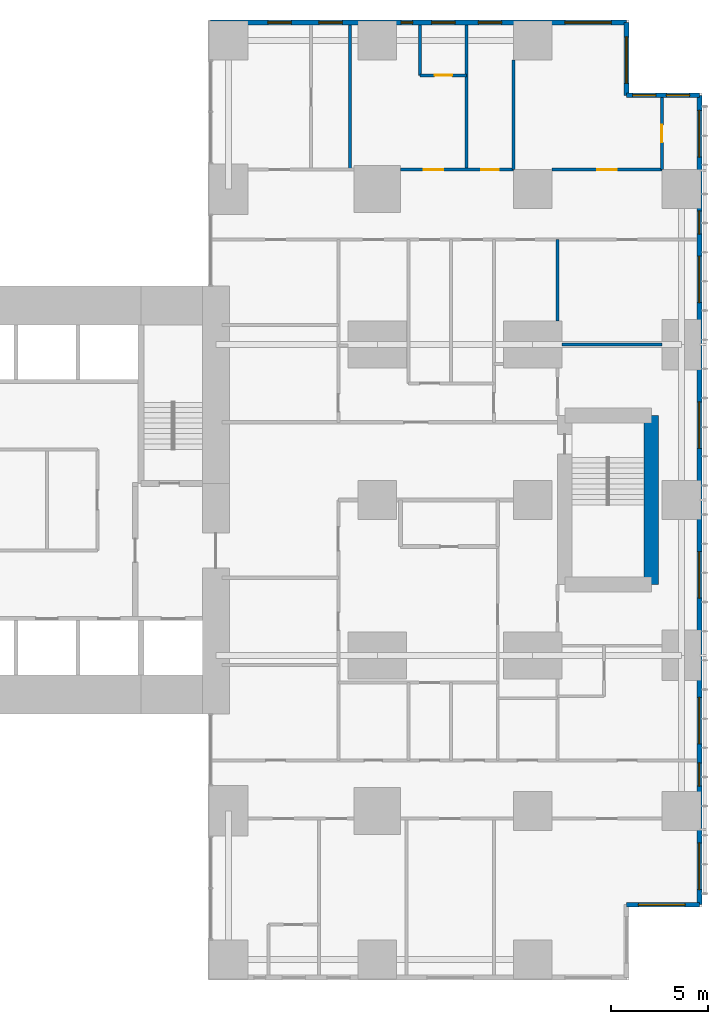
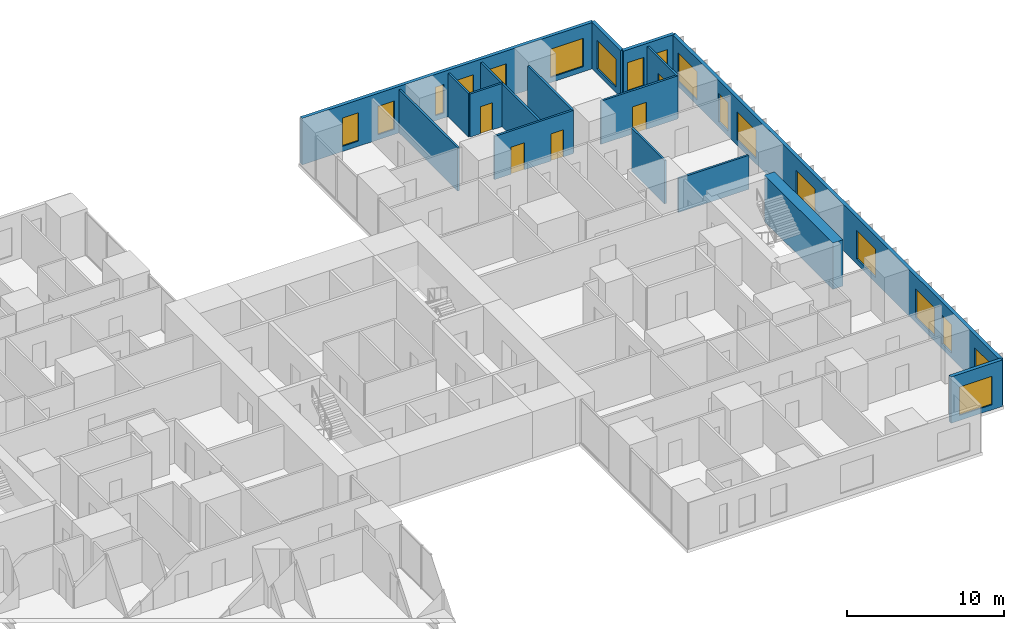
# One storey, part 18 of 20: 18 windows, 16 walls, 5 doors, 23 openings.
"""IFC4 building model written with IfcOpenShell, lengths in metres."""

from ifc_helpers import new_model, si_unit, direction, frame, frame_2d, origin, place, context, subcontext, project, spatial, rectangle, extrude, material, layer, layer_set, type_object, element, fill, save


model = new_model("IFC4")

# Units and contexts
model_context = context("Model", 3, precision=1e-05, world=origin(), true_north=direction((0.0, 1.0)))
body_context = subcontext(model_context, "Body", "Model", "MODEL_VIEW")
ifc_project = project(units=[si_unit("LENGTHUNIT", "METRE"), si_unit("AREAUNIT", "SQUARE_METRE"), si_unit("VOLUMEUNIT", "CUBIC_METRE"), si_unit("PLANEANGLEUNIT", "RADIAN"), si_unit("MASSUNIT", "GRAM", prefix="KILO")], contexts=[model_context])

# Site, building, storey
site_placement = place(None, origin())
site = spatial("IfcSite", under=ifc_project, at=site_placement, CompositionType="ELEMENT")
building_placement = place(site_placement, origin())
building = spatial("IfcBuilding", under=site, at=building_placement, Name="Cleftline Residences", CompositionType="ELEMENT")
storey_placement = place(building_placement, frame((0.0, 0.0, 114.199951171875)))
storey = spatial("IfcBuildingStorey", under=building, at=storey_placement, Name="L29", CompositionType="ELEMENT", Elevation=114.199951171875)

# Wall, opening, window
ifc_material_1 = material(Name="Rendered reinforced concrete blockwork", Category="masonry")
ifc_layer_1 = layer(ifc_material_1, 0.25)
ifc_layer_set_1 = layer_set([ifc_layer_1], Name="EXTERNAL WALL 250")
wall_type_1 = type_object("IfcWallType", Name="EXTERNAL WALL 250", PredefinedType="SOLIDWALL", material=ifc_layer_set_1)
wall_1_placement = place(storey_placement, frame((62.824951171875, 3.175048828125, 0.0), z_axis=(0.0, 0.0, 1.0), x_axis=(1.0, 0.0, 0.0)))
wall_1 = element("IfcWall", 1, at=wall_1_placement, inside=storey, type_object=wall_type_1, Name="External wall", PredefinedType="SOLIDWALL", context=body_context, shape_type="SweptSolid", body=[
    extrude(rectangle(XDim=3.75, YDim=0.25, at=frame_2d((1.875, 0.0))), origin(), (0.0, 0.0, 1.0), 3.60009765625),
])
opening_1_placement = place(wall_1_placement, frame((0.612548828125, 0.0, 0.39990234375)))
opening_1 = element("IfcOpeningElement", 2, at=opening_1_placement, cuts=wall_1, Name="Opening W12", PredefinedType="OPENING", context=body_context, shape_type="SweptSolid", body=[
    extrude(rectangle(XDim=2.39990234375, YDim=2.199951171875, at=frame_2d((1.199951171875, 1.10009765625))), frame((0.0, 0.135009765625, 0.0), z_axis=(0.0, -1.0, 0.0), x_axis=(1.0, 0.0, 0.0)), (0.0, 0.0, 1.0), 0.27001953125),
])
ifc_material_2 = material(Name="Aluminium frame, clear double glazing", Category="aluminium")
window_type_1 = type_object("IfcWindowType", Name="WINDOW 2400X2200", PartitioningType="DOUBLE_PANEL_VERTICAL", PredefinedType="WINDOW", material=ifc_material_2)
window_1_placement = place(opening_1_placement, origin())
window_1 = element("IfcWindow", 3, at=window_1_placement, inside=storey, type_object=window_type_1, Name="Window", OverallHeight=2.199951171875, OverallWidth=2.39990234375, PartitioningType="SINGLE_PANEL", PredefinedType="WINDOW", context=body_context, shape_type="SweptSolid", body=[
    extrude(rectangle(XDim=2.39990234375, YDim=2.199951171875, at=frame_2d((1.199951171875, 1.10009765625))), frame((0.0, 0.030029296875, 0.0), z_axis=(0.0, -1.0, 0.0), x_axis=(1.0, 0.0, 0.0)), (0.0, 0.0, 1.0), 0.06005859375),
])
fill(opening_1, window_1)

# Wall, openings, windows
wall_2_placement = place(storey_placement, frame((66.574951171875, 3.175048828125, 0.0), z_axis=(0.0, 0.0, 1.0), x_axis=(0.0, 1.0, 0.0)))
wall_2 = element("IfcWall", 4, at=wall_2_placement, inside=storey, type_object=wall_type_1, Name="External wall", PredefinedType="SOLIDWALL", context=body_context, shape_type="SweptSolid", body=[
    extrude(rectangle(XDim=41.64990234375, YDim=0.25, at=frame_2d((20.824951171875, 0.0))), origin(), (0.0, 0.0, 1.0), 3.60009765625),
])
opening_2_placement = place(wall_2_placement, frame((0.77490234375, 0.0, 0.39990234375)))
opening_2 = element("IfcOpeningElement", 5, at=opening_2_placement, cuts=wall_2, Name="Opening W12", PredefinedType="OPENING", context=body_context, shape_type="SweptSolid", body=[
    extrude(rectangle(XDim=2.39990234375, YDim=2.199951171875, at=frame_2d((1.199951171875, 1.10009765625))), frame((0.0, 0.135009765625, 0.0), z_axis=(0.0, -1.0, 0.0), x_axis=(1.0, 0.0, 0.0)), (0.0, 0.0, 1.0), 0.27001953125),
])
opening_3_placement = place(wall_2_placement, frame((6.10009765625, 0.0, 0.39990234375)))
opening_3 = element("IfcOpeningElement", 6, at=opening_3_placement, cuts=wall_2, Name="Opening W11", PredefinedType="OPENING", context=body_context, shape_type="SweptSolid", body=[
    extrude(rectangle(XDim=1.199951171875, YDim=2.199951171875, at=frame_2d((0.60009765625, 1.10009765625))), frame((0.0, 0.135009765625, 0.0), z_axis=(0.0, -1.0, 0.0), x_axis=(1.0, 0.0, 0.0)), (0.0, 0.0, 1.0), 0.27001953125),
])
opening_4_placement = place(wall_2_placement, frame((8.27490234375, 0.0, 0.39990234375)))
opening_4 = element("IfcOpeningElement", 7, at=opening_4_placement, cuts=wall_2, Name="Opening W12", PredefinedType="OPENING", context=body_context, shape_type="SweptSolid", body=[
    extrude(rectangle(XDim=2.39990234375, YDim=2.199951171875, at=frame_2d((1.199951171875, 1.10009765625))), frame((0.0, 0.135009765625, 0.0), z_axis=(0.0, -1.0, 0.0), x_axis=(1.0, 0.0, 0.0)), (0.0, 0.0, 1.0), 0.27001953125),
])
opening_5_placement = place(wall_2_placement, frame((15.77490234375, 0.0, 0.39990234375)))
opening_5 = element("IfcOpeningElement", 8, at=opening_5_placement, cuts=wall_2, Name="Opening W12", PredefinedType="OPENING", context=body_context, shape_type="SweptSolid", body=[
    extrude(rectangle(XDim=2.39990234375, YDim=2.199951171875, at=frame_2d((1.199951171875, 1.10009765625))), frame((0.0, 0.135009765625, 0.0), z_axis=(0.0, -1.0, 0.0), x_axis=(1.0, 0.0, 0.0)), (0.0, 0.0, 1.0), 0.27001953125),
])
opening_6_placement = place(wall_2_placement, frame((23.47509765625, 0.0, 0.39990234375)))
opening_6 = element("IfcOpeningElement", 9, at=opening_6_placement, cuts=wall_2, Name="Opening W12", PredefinedType="OPENING", context=body_context, shape_type="SweptSolid", body=[
    extrude(rectangle(XDim=2.39990234375, YDim=2.199951171875, at=frame_2d((1.199951171875, 1.10009765625))), frame((0.0, 0.135009765625, 0.0), z_axis=(0.0, -1.0, 0.0), x_axis=(1.0, 0.0, 0.0)), (0.0, 0.0, 1.0), 0.27001953125),
])
opening_7_placement = place(wall_2_placement, frame((30.97509765625, 0.0, 0.39990234375)))
opening_7 = element("IfcOpeningElement", 10, at=opening_7_placement, cuts=wall_2, Name="Opening W12", PredefinedType="OPENING", context=body_context, shape_type="SweptSolid", body=[
    extrude(rectangle(XDim=2.39990234375, YDim=2.199951171875, at=frame_2d((1.199951171875, 1.10009765625))), frame((0.0, 0.135009765625, 0.0), z_axis=(0.0, -1.0, 0.0), x_axis=(1.0, 0.0, 0.0)), (0.0, 0.0, 1.0), 0.27001953125),
])
opening_8_placement = place(wall_2_placement, frame((34.5, 0.0, 0.39990234375)))
opening_8 = element("IfcOpeningElement", 11, at=opening_8_placement, cuts=wall_2, Name="Opening W11", PredefinedType="OPENING", context=body_context, shape_type="SweptSolid", body=[
    extrude(rectangle(XDim=1.199951171875, YDim=2.199951171875, at=frame_2d((0.60009765625, 1.10009765625))), frame((0.0, 0.135009765625, 0.0), z_axis=(0.0, -1.0, 0.0), x_axis=(1.0, 0.0, 0.0)), (0.0, 0.0, 1.0), 0.27001953125),
])
opening_9_placement = place(wall_2_placement, frame((38.47509765625, 0.0, 0.39990234375)))
opening_9 = element("IfcOpeningElement", 12, at=opening_9_placement, cuts=wall_2, Name="Opening W12", PredefinedType="OPENING", context=body_context, shape_type="SweptSolid", body=[
    extrude(rectangle(XDim=2.39990234375, YDim=2.199951171875, at=frame_2d((1.199951171875, 1.10009765625))), frame((0.0, 0.135009765625, 0.0), z_axis=(0.0, -1.0, 0.0), x_axis=(1.0, 0.0, 0.0)), (0.0, 0.0, 1.0), 0.27001953125),
])
ifc_material_3 = material(Name="Aluminium frame, clear double glazing", Category="aluminium")
window_type_2 = type_object("IfcWindowType", Name="WINDOW 1200X2200", PartitioningType="DOUBLE_PANEL_VERTICAL", PredefinedType="WINDOW", material=ifc_material_3)
window_2_placement = place(opening_3_placement, origin())
window_2 = element("IfcWindow", 13, at=window_2_placement, inside=storey, type_object=window_type_2, Name="Window", OverallHeight=2.199951171875, OverallWidth=1.199951171875, PartitioningType="SINGLE_PANEL", PredefinedType="WINDOW", context=body_context, shape_type="SweptSolid", body=[
    extrude(rectangle(XDim=1.199951171875, YDim=2.199951171875, at=frame_2d((0.60009765625, 1.10009765625))), frame((0.0, 0.030029296875, 0.0), z_axis=(0.0, -1.0, 0.0), x_axis=(1.0, 0.0, 0.0)), (0.0, 0.0, 1.0), 0.06005859375),
])
fill(opening_3, window_2)
window_3_placement = place(opening_8_placement, origin())
window_3 = element("IfcWindow", 14, at=window_3_placement, inside=storey, type_object=window_type_2, Name="Window", OverallHeight=2.199951171875, OverallWidth=1.199951171875, PartitioningType="SINGLE_PANEL", PredefinedType="WINDOW", context=body_context, shape_type="SweptSolid", body=[
    extrude(rectangle(XDim=1.199951171875, YDim=2.199951171875, at=frame_2d((0.60009765625, 1.10009765625))), frame((0.0, 0.030029296875, 0.0), z_axis=(0.0, -1.0, 0.0), x_axis=(1.0, 0.0, 0.0)), (0.0, 0.0, 1.0), 0.06005859375),
])
fill(opening_8, window_3)
window_4_placement = place(opening_2_placement, origin())
window_4 = element("IfcWindow", 15, at=window_4_placement, inside=storey, type_object=window_type_1, Name="Window", OverallHeight=2.199951171875, OverallWidth=2.39990234375, PartitioningType="SINGLE_PANEL", PredefinedType="WINDOW", context=body_context, shape_type="SweptSolid", body=[
    extrude(rectangle(XDim=2.39990234375, YDim=2.199951171875, at=frame_2d((1.199951171875, 1.10009765625))), frame((0.0, 0.030029296875, 0.0), z_axis=(0.0, -1.0, 0.0), x_axis=(1.0, 0.0, 0.0)), (0.0, 0.0, 1.0), 0.06005859375),
])
fill(opening_2, window_4)
window_5_placement = place(opening_4_placement, origin())
window_5 = element("IfcWindow", 16, at=window_5_placement, inside=storey, type_object=window_type_1, Name="Window", OverallHeight=2.199951171875, OverallWidth=2.39990234375, PartitioningType="SINGLE_PANEL", PredefinedType="WINDOW", context=body_context, shape_type="SweptSolid", body=[
    extrude(rectangle(XDim=2.39990234375, YDim=2.199951171875, at=frame_2d((1.199951171875, 1.10009765625))), frame((0.0, 0.030029296875, 0.0), z_axis=(0.0, -1.0, 0.0), x_axis=(1.0, 0.0, 0.0)), (0.0, 0.0, 1.0), 0.06005859375),
])
fill(opening_4, window_5)
window_6_placement = place(opening_5_placement, origin())
window_6 = element("IfcWindow", 17, at=window_6_placement, inside=storey, type_object=window_type_1, Name="Window", OverallHeight=2.199951171875, OverallWidth=2.39990234375, PartitioningType="SINGLE_PANEL", PredefinedType="WINDOW", context=body_context, shape_type="SweptSolid", body=[
    extrude(rectangle(XDim=2.39990234375, YDim=2.199951171875, at=frame_2d((1.199951171875, 1.10009765625))), frame((0.0, 0.030029296875, 0.0), z_axis=(0.0, -1.0, 0.0), x_axis=(1.0, 0.0, 0.0)), (0.0, 0.0, 1.0), 0.06005859375),
])
fill(opening_5, window_6)
window_7_placement = place(opening_6_placement, origin())
window_7 = element("IfcWindow", 18, at=window_7_placement, inside=storey, type_object=window_type_1, Name="Window", OverallHeight=2.199951171875, OverallWidth=2.39990234375, PartitioningType="SINGLE_PANEL", PredefinedType="WINDOW", context=body_context, shape_type="SweptSolid", body=[
    extrude(rectangle(XDim=2.39990234375, YDim=2.199951171875, at=frame_2d((1.199951171875, 1.10009765625))), frame((0.0, 0.030029296875, 0.0), z_axis=(0.0, -1.0, 0.0), x_axis=(1.0, 0.0, 0.0)), (0.0, 0.0, 1.0), 0.06005859375),
])
fill(opening_6, window_7)
window_8_placement = place(opening_7_placement, origin())
window_8 = element("IfcWindow", 19, at=window_8_placement, inside=storey, type_object=window_type_1, Name="Window", OverallHeight=2.199951171875, OverallWidth=2.39990234375, PartitioningType="SINGLE_PANEL", PredefinedType="WINDOW", context=body_context, shape_type="SweptSolid", body=[
    extrude(rectangle(XDim=2.39990234375, YDim=2.199951171875, at=frame_2d((1.199951171875, 1.10009765625))), frame((0.0, 0.030029296875, 0.0), z_axis=(0.0, -1.0, 0.0), x_axis=(1.0, 0.0, 0.0)), (0.0, 0.0, 1.0), 0.06005859375),
])
fill(opening_7, window_8)
window_9_placement = place(opening_9_placement, origin())
window_9 = element("IfcWindow", 20, at=window_9_placement, inside=storey, type_object=window_type_1, Name="Window", OverallHeight=2.199951171875, OverallWidth=2.39990234375, PartitioningType="SINGLE_PANEL", PredefinedType="WINDOW", context=body_context, shape_type="SweptSolid", body=[
    extrude(rectangle(XDim=2.39990234375, YDim=2.199951171875, at=frame_2d((1.199951171875, 1.10009765625))), frame((0.0, 0.030029296875, 0.0), z_axis=(0.0, -1.0, 0.0), x_axis=(1.0, 0.0, 0.0)), (0.0, 0.0, 1.0), 0.06005859375),
])
fill(opening_9, window_9)

wall_3_placement = place(storey_placement, frame((66.574951171875, 44.824951171875, 0.0), z_axis=(0.0, 0.0, 1.0), x_axis=(-1.0, 0.0, 0.0)))
wall_3 = element("IfcWall", 21, at=wall_3_placement, inside=storey, type_object=wall_type_1, Name="External wall", PredefinedType="SOLIDWALL", context=body_context, shape_type="SweptSolid", body=[
    extrude(rectangle(XDim=3.75, YDim=0.25, at=frame_2d((1.875, 0.0))), origin(), (0.0, 0.0, 1.0), 3.60009765625),
])
opening_10_placement = place(wall_3_placement, frame((0.5, 0.0, 0.39990234375)))
opening_10 = element("IfcOpeningElement", 22, at=opening_10_placement, cuts=wall_3, Name="Opening W11", PredefinedType="OPENING", context=body_context, shape_type="SweptSolid", body=[
    extrude(rectangle(XDim=1.199951171875, YDim=2.199951171875, at=frame_2d((0.60009765625, 1.10009765625))), frame((0.0, 0.135009765625, 0.0), z_axis=(0.0, -1.0, 0.0), x_axis=(1.0, 0.0, 0.0)), (0.0, 0.0, 1.0), 0.27001953125),
])
opening_11_placement = place(wall_3_placement, frame((2.237548828125, 0.0, 0.39990234375)))
opening_11 = element("IfcOpeningElement", 23, at=opening_11_placement, cuts=wall_3, Name="Opening W11", PredefinedType="OPENING", context=body_context, shape_type="SweptSolid", body=[
    extrude(rectangle(XDim=1.199951171875, YDim=2.199951171875, at=frame_2d((0.60009765625, 1.10009765625))), frame((0.0, 0.135009765625, 0.0), z_axis=(0.0, -1.0, 0.0), x_axis=(1.0, 0.0, 0.0)), (0.0, 0.0, 1.0), 0.27001953125),
])
window_10_placement = place(opening_10_placement, origin())
window_10 = element("IfcWindow", 24, at=window_10_placement, inside=storey, type_object=window_type_2, Name="Window", OverallHeight=2.199951171875, OverallWidth=1.199951171875, PartitioningType="SINGLE_PANEL", PredefinedType="WINDOW", context=body_context, shape_type="SweptSolid", body=[
    extrude(rectangle(XDim=1.199951171875, YDim=2.199951171875, at=frame_2d((0.60009765625, 1.10009765625))), frame((0.0, 0.030029296875, 0.0), z_axis=(0.0, -1.0, 0.0), x_axis=(1.0, 0.0, 0.0)), (0.0, 0.0, 1.0), 0.06005859375),
])
fill(opening_10, window_10)
window_11_placement = place(opening_11_placement, origin())
window_11 = element("IfcWindow", 25, at=window_11_placement, inside=storey, type_object=window_type_2, Name="Window", OverallHeight=2.199951171875, OverallWidth=1.199951171875, PartitioningType="SINGLE_PANEL", PredefinedType="WINDOW", context=body_context, shape_type="SweptSolid", body=[
    extrude(rectangle(XDim=1.199951171875, YDim=2.199951171875, at=frame_2d((0.60009765625, 1.10009765625))), frame((0.0, 0.030029296875, 0.0), z_axis=(0.0, -1.0, 0.0), x_axis=(1.0, 0.0, 0.0)), (0.0, 0.0, 1.0), 0.06005859375),
])
fill(opening_11, window_11)

# Wall, opening, window
wall_4_placement = place(storey_placement, frame((62.824951171875, 44.824951171875, 0.0), z_axis=(0.0, 0.0, 1.0), x_axis=(0.0, 1.0, 0.0)))
wall_4 = element("IfcWall", 26, at=wall_4_placement, inside=storey, type_object=wall_type_1, Name="External wall", PredefinedType="SOLIDWALL", context=body_context, shape_type="SweptSolid", body=[
    extrude(rectangle(XDim=3.75, YDim=0.25, at=frame_2d((1.875, 0.0))), origin(), (0.0, 0.0, 1.0), 3.60009765625),
])
opening_12_placement = place(wall_4_placement, frame((0.612548828125, 0.0, 0.39990234375)))
opening_12 = element("IfcOpeningElement", 27, at=opening_12_placement, cuts=wall_4, Name="Opening W12", PredefinedType="OPENING", context=body_context, shape_type="SweptSolid", body=[
    extrude(rectangle(XDim=2.39990234375, YDim=2.199951171875, at=frame_2d((1.199951171875, 1.10009765625))), frame((0.0, 0.135009765625, 0.0), z_axis=(0.0, -1.0, 0.0), x_axis=(1.0, 0.0, 0.0)), (0.0, 0.0, 1.0), 0.27001953125),
])
window_12_placement = place(opening_12_placement, origin())
window_12 = element("IfcWindow", 28, at=window_12_placement, inside=storey, type_object=window_type_1, Name="Window", OverallHeight=2.199951171875, OverallWidth=2.39990234375, PartitioningType="SINGLE_PANEL", PredefinedType="WINDOW", context=body_context, shape_type="SweptSolid", body=[
    extrude(rectangle(XDim=2.39990234375, YDim=2.199951171875, at=frame_2d((1.199951171875, 1.10009765625))), frame((0.0, 0.030029296875, 0.0), z_axis=(0.0, -1.0, 0.0), x_axis=(1.0, 0.0, 0.0)), (0.0, 0.0, 1.0), 0.06005859375),
])
fill(opening_12, window_12)

# Wall, openings, windows
wall_5_placement = place(storey_placement, frame((62.824951171875, 48.574951171875, 0.0), z_axis=(0.0, 0.0, 1.0), x_axis=(-1.0, 0.0, 0.0)))
wall_5 = element("IfcWall", 29, at=wall_5_placement, inside=storey, type_object=wall_type_1, Name="External wall", PredefinedType="SOLIDWALL", context=body_context, shape_type="SweptSolid", body=[
    extrude(rectangle(XDim=21.39990234375, YDim=0.25, at=frame_2d((10.699951171875, 0.0))), origin(), (0.0, 0.0, 1.0), 3.60009765625),
])
opening_13_placement = place(wall_5_placement, frame((0.77490234375, 0.0, 0.39990234375)))
opening_13 = element("IfcOpeningElement", 30, at=opening_13_placement, cuts=wall_5, Name="Opening W12", PredefinedType="OPENING", context=body_context, shape_type="SweptSolid", body=[
    extrude(rectangle(XDim=2.39990234375, YDim=2.199951171875, at=frame_2d((1.199951171875, 1.10009765625))), frame((0.0, 0.135009765625, 0.0), z_axis=(0.0, -1.0, 0.0), x_axis=(1.0, 0.0, 0.0)), (0.0, 0.0, 1.0), 0.27001953125),
])
opening_14_placement = place(wall_5_placement, frame((6.425048828125, 0.0, 0.39990234375)))
opening_14 = element("IfcOpeningElement", 31, at=opening_14_placement, cuts=wall_5, Name="Opening W11", PredefinedType="OPENING", context=body_context, shape_type="SweptSolid", body=[
    extrude(rectangle(XDim=1.199951171875, YDim=2.199951171875, at=frame_2d((0.60009765625, 1.10009765625))), frame((0.0, 0.135009765625, 0.0), z_axis=(0.0, -1.0, 0.0), x_axis=(1.0, 0.0, 0.0)), (0.0, 0.0, 1.0), 0.27001953125),
])
opening_15_placement = place(wall_5_placement, frame((8.824951171875, 0.0, 0.39990234375)))
opening_15 = element("IfcOpeningElement", 32, at=opening_15_placement, cuts=wall_5, Name="Opening W11", PredefinedType="OPENING", context=body_context, shape_type="SweptSolid", body=[
    extrude(rectangle(XDim=1.199951171875, YDim=2.199951171875, at=frame_2d((0.60009765625, 1.10009765625))), frame((0.0, 0.135009765625, 0.0), z_axis=(0.0, -1.0, 0.0), x_axis=(1.0, 0.0, 0.0)), (0.0, 0.0, 1.0), 0.27001953125),
])
opening_16_placement = place(wall_5_placement, frame((11.0, 0.0, 0.39990234375)))
opening_16 = element("IfcOpeningElement", 33, at=opening_16_placement, cuts=wall_5, Name="Opening W10", PredefinedType="OPENING", context=body_context, shape_type="SweptSolid", body=[
    extrude(rectangle(XDim=0.60009765625, YDim=2.199951171875, at=frame_2d((0.300048828125, 1.10009765625))), frame((0.0, 0.135009765625, 0.0), z_axis=(0.0, -1.0, 0.0), x_axis=(1.0, 0.0, 0.0)), (0.0, 0.0, 1.0), 0.27001953125),
])
opening_17_placement = place(wall_5_placement, frame((14.625, 0.0, 0.39990234375)))
opening_17 = element("IfcOpeningElement", 34, at=opening_17_placement, cuts=wall_5, Name="Opening W11", PredefinedType="OPENING", context=body_context, shape_type="SweptSolid", body=[
    extrude(rectangle(XDim=1.199951171875, YDim=2.199951171875, at=frame_2d((0.60009765625, 1.10009765625))), frame((0.0, 0.135009765625, 0.0), z_axis=(0.0, -1.0, 0.0), x_axis=(1.0, 0.0, 0.0)), (0.0, 0.0, 1.0), 0.27001953125),
])
opening_18_placement = place(wall_5_placement, frame((17.25, 0.0, 0.39990234375)))
opening_18 = element("IfcOpeningElement", 35, at=opening_18_placement, cuts=wall_5, Name="Opening W11", PredefinedType="OPENING", context=body_context, shape_type="SweptSolid", body=[
    extrude(rectangle(XDim=1.199951171875, YDim=2.199951171875, at=frame_2d((0.60009765625, 1.10009765625))), frame((0.0, 0.135009765625, 0.0), z_axis=(0.0, -1.0, 0.0), x_axis=(1.0, 0.0, 0.0)), (0.0, 0.0, 1.0), 0.27001953125),
])
window_13_placement = place(opening_14_placement, origin())
window_13 = element("IfcWindow", 36, at=window_13_placement, inside=storey, type_object=window_type_2, Name="Window", OverallHeight=2.199951171875, OverallWidth=1.199951171875, PartitioningType="SINGLE_PANEL", PredefinedType="WINDOW", context=body_context, shape_type="SweptSolid", body=[
    extrude(rectangle(XDim=1.199951171875, YDim=2.199951171875, at=frame_2d((0.60009765625, 1.10009765625))), frame((0.0, 0.030029296875, 0.0), z_axis=(0.0, -1.0, 0.0), x_axis=(1.0, 0.0, 0.0)), (0.0, 0.0, 1.0), 0.06005859375),
])
fill(opening_14, window_13)
window_14_placement = place(opening_15_placement, origin())
window_14 = element("IfcWindow", 37, at=window_14_placement, inside=storey, type_object=window_type_2, Name="Window", OverallHeight=2.199951171875, OverallWidth=1.199951171875, PartitioningType="SINGLE_PANEL", PredefinedType="WINDOW", context=body_context, shape_type="SweptSolid", body=[
    extrude(rectangle(XDim=1.199951171875, YDim=2.199951171875, at=frame_2d((0.60009765625, 1.10009765625))), frame((0.0, 0.030029296875, 0.0), z_axis=(0.0, -1.0, 0.0), x_axis=(1.0, 0.0, 0.0)), (0.0, 0.0, 1.0), 0.06005859375),
])
fill(opening_15, window_14)
window_15_placement = place(opening_17_placement, origin())
window_15 = element("IfcWindow", 38, at=window_15_placement, inside=storey, type_object=window_type_2, Name="Window", OverallHeight=2.199951171875, OverallWidth=1.199951171875, PartitioningType="SINGLE_PANEL", PredefinedType="WINDOW", context=body_context, shape_type="SweptSolid", body=[
    extrude(rectangle(XDim=1.199951171875, YDim=2.199951171875, at=frame_2d((0.60009765625, 1.10009765625))), frame((0.0, 0.030029296875, 0.0), z_axis=(0.0, -1.0, 0.0), x_axis=(1.0, 0.0, 0.0)), (0.0, 0.0, 1.0), 0.06005859375),
])
fill(opening_17, window_15)
window_16_placement = place(opening_18_placement, origin())
window_16 = element("IfcWindow", 39, at=window_16_placement, inside=storey, type_object=window_type_2, Name="Window", OverallHeight=2.199951171875, OverallWidth=1.199951171875, PartitioningType="SINGLE_PANEL", PredefinedType="WINDOW", context=body_context, shape_type="SweptSolid", body=[
    extrude(rectangle(XDim=1.199951171875, YDim=2.199951171875, at=frame_2d((0.60009765625, 1.10009765625))), frame((0.0, 0.030029296875, 0.0), z_axis=(0.0, -1.0, 0.0), x_axis=(1.0, 0.0, 0.0)), (0.0, 0.0, 1.0), 0.06005859375),
])
fill(opening_18, window_16)
window_17_placement = place(opening_13_placement, origin())
window_17 = element("IfcWindow", 40, at=window_17_placement, inside=storey, type_object=window_type_1, Name="Window", OverallHeight=2.199951171875, OverallWidth=2.39990234375, PartitioningType="SINGLE_PANEL", PredefinedType="WINDOW", context=body_context, shape_type="SweptSolid", body=[
    extrude(rectangle(XDim=2.39990234375, YDim=2.199951171875, at=frame_2d((1.199951171875, 1.10009765625))), frame((0.0, 0.030029296875, 0.0), z_axis=(0.0, -1.0, 0.0), x_axis=(1.0, 0.0, 0.0)), (0.0, 0.0, 1.0), 0.06005859375),
])
fill(opening_13, window_17)
ifc_material_4 = material(Name="Aluminium frame, clear double glazing", Category="aluminium")
window_type_3 = type_object("IfcWindowType", Name="WINDOW 600X2200", PartitioningType="DOUBLE_PANEL_VERTICAL", PredefinedType="WINDOW", material=ifc_material_4)
window_18_placement = place(opening_16_placement, origin())
window_18 = element("IfcWindow", 41, at=window_18_placement, inside=storey, type_object=window_type_3, Name="Window", OverallHeight=2.199951171875, OverallWidth=0.60009765625, PartitioningType="SINGLE_PANEL", PredefinedType="WINDOW", context=body_context, shape_type="SweptSolid", body=[
    extrude(rectangle(XDim=0.60009765625, YDim=2.199951171875, at=frame_2d((0.300048828125, 1.10009765625))), frame((0.0, 0.030029296875, 0.0), z_axis=(0.0, -1.0, 0.0), x_axis=(1.0, 0.0, 0.0)), (0.0, 0.0, 1.0), 0.06005859375),
])
fill(opening_16, window_18)

# Wall
ifc_material_5 = material(Name="Gypsum board on steel studs", Category="steel")
ifc_layer_2 = layer(ifc_material_5, 0.14990234375)
ifc_layer_set_2 = layer_set([ifc_layer_2], Name="PARTITION 150")
wall_type_2 = type_object("IfcWallType", Name="PARTITION 150", PredefinedType="PARTITIONING", material=ifc_layer_set_2)
wall_6_placement = place(storey_placement, frame((59.5, 32.0, 0.0), z_axis=(0.0, 0.0, 1.0), x_axis=(1.0, 0.0, 0.0)))
element("IfcWall", 42, at=wall_6_placement, inside=storey, type_object=wall_type_2, Name="Partition", PredefinedType="PARTITIONING", context=body_context, shape_type="SweptSolid", body=[
    extrude(rectangle(XDim=5.14990234375, YDim=0.14990234375, at=frame_2d((2.574951171875, 0.0))), origin(), (0.0, 0.0, 1.0), 2.634033203125),
])

# Wall, openings, doors
wall_7_placement = place(storey_placement, frame((51.199951171875, 41.0, 0.0), z_axis=(0.0, 0.0, 1.0), x_axis=(1.0, 0.0, 0.0)))
wall_7 = element("IfcWall", 43, at=wall_7_placement, inside=storey, type_object=wall_type_2, Name="Partition", PredefinedType="PARTITIONING", context=body_context, shape_type="SweptSolid", body=[
    extrude(rectangle(XDim=5.800048828125, YDim=0.14990234375, at=frame_2d((2.89990234375, 0.0))), origin(), (0.0, 0.0, 1.0), 3.35009765625),
])
opening_19_placement = place(wall_7_placement, frame((4.14990234375, 0.0, 0.0)))
opening_19 = element("IfcOpeningElement", 44, at=opening_19_placement, cuts=wall_7, Name="Opening D1", PredefinedType="OPENING", context=body_context, shape_type="SweptSolid", body=[
    extrude(rectangle(XDim=0.89990234375, YDim=2.10009765625, at=frame_2d((0.449951171875, 1.050048828125))), frame((0.0, 0.0849609375, 0.0), z_axis=(0.0, -1.0, 0.0), x_axis=(1.0, 0.0, 0.0)), (0.0, 0.0, 1.0), 0.169921875),
])
opening_20_placement = place(wall_7_placement, frame((1.199951171875, 0.0, 0.0)))
opening_20 = element("IfcOpeningElement", 45, at=opening_20_placement, cuts=wall_7, Name="Opening D2", PredefinedType="OPENING", context=body_context, shape_type="SweptSolid", body=[
    extrude(rectangle(XDim=1.0, YDim=2.10009765625, at=frame_2d((0.5, 1.050048828125))), frame((0.0, 0.0849609375, 0.0), z_axis=(0.0, -1.0, 0.0), x_axis=(1.0, 0.0, 0.0)), (0.0, 0.0, 1.0), 0.169921875),
])
ifc_material_6 = material(Name="Timber veneer on solid core", Category="wood")
door_type_1 = type_object("IfcDoorType", Name="DOOR 1000X2100", OperationType="SINGLE_SWING_LEFT", PredefinedType="DOOR", material=ifc_material_6)
door_1_placement = place(opening_20_placement, origin())
door_1 = element("IfcDoor", 46, at=door_1_placement, inside=storey, type_object=door_type_1, Name="Door to bedroom 2", OperationType="SINGLE_SWING_RIGHT", OverallHeight=2.10009765625, OverallWidth=1.0, PredefinedType="DOOR", context=body_context, shape_type="SweptSolid", body=[
    extrude(rectangle(XDim=1.0, YDim=2.10009765625, at=frame_2d((0.5, 1.050048828125))), frame((0.0, 0.02490234375, 0.0), z_axis=(0.0, -1.0, 0.0), x_axis=(1.0, 0.0, 0.0)), (0.0, 0.0, 1.0), 0.050048828125),
])
fill(opening_20, door_1)
ifc_material_7 = material(Name="Timber veneer on solid core", Category="wood")
door_type_2 = type_object("IfcDoorType", Name="DOOR 900X2100", OperationType="SINGLE_SWING_LEFT", PredefinedType="DOOR", material=ifc_material_7)
door_2_placement = place(opening_19_placement, origin())
door_2 = element("IfcDoor", 47, at=door_2_placement, inside=storey, type_object=door_type_2, Name="Door to master dressing room", OperationType="SINGLE_SWING_LEFT", OverallHeight=2.10009765625, OverallWidth=0.89990234375, PredefinedType="DOOR", context=body_context, shape_type="SweptSolid", body=[
    extrude(rectangle(XDim=0.89990234375, YDim=2.10009765625, at=frame_2d((0.449951171875, 1.050048828125))), frame((0.0, 0.02490234375, 0.0), z_axis=(0.0, -1.0, 0.0), x_axis=(1.0, 0.0, 0.0)), (0.0, 0.0, 1.0), 0.050048828125),
])
fill(opening_19, door_2)

# Wall, opening, door
wall_8_placement = place(storey_placement, frame((59.0, 41.0, 0.0), z_axis=(0.0, 0.0, 1.0), x_axis=(1.0, 0.0, 0.0)))
wall_8 = element("IfcWall", 48, at=wall_8_placement, inside=storey, type_object=wall_type_2, Name="Partition", PredefinedType="PARTITIONING", context=body_context, shape_type="SweptSolid", body=[
    extrude(rectangle(XDim=5.64990234375, YDim=0.14990234375, at=frame_2d((2.824951171875, 0.0))), origin(), (0.0, 0.0, 1.0), 3.35009765625),
])
opening_21_placement = place(wall_8_placement, frame((2.324951171875, 0.0, 0.0)))
opening_21 = element("IfcOpeningElement", 49, at=opening_21_placement, cuts=wall_8, Name="Opening D2", PredefinedType="OPENING", context=body_context, shape_type="SweptSolid", body=[
    extrude(rectangle(XDim=1.0, YDim=2.10009765625, at=frame_2d((0.5, 1.050048828125))), frame((0.0, 0.0849609375, 0.0), z_axis=(0.0, -1.0, 0.0), x_axis=(1.0, 0.0, 0.0)), (0.0, 0.0, 1.0), 0.169921875),
])
door_3_placement = place(opening_21_placement, origin())
door_3 = element("IfcDoor", 50, at=door_3_placement, inside=storey, type_object=door_type_1, Name="Door to master bedroom", OperationType="SINGLE_SWING_LEFT", OverallHeight=2.10009765625, OverallWidth=1.0, PredefinedType="DOOR", context=body_context, shape_type="SweptSolid", body=[
    extrude(rectangle(XDim=1.0, YDim=2.10009765625, at=frame_2d((0.5, 1.050048828125))), frame((0.0, 0.02490234375, 0.0), z_axis=(0.0, -1.0, 0.0), x_axis=(1.0, 0.0, 0.0)), (0.0, 0.0, 1.0), 0.050048828125),
])
fill(opening_21, door_3)

wall_9_placement = place(storey_placement, frame((52.199951171875, 45.85009765625, 0.0), z_axis=(0.0, 0.0, 1.0), x_axis=(1.0, 0.0, 0.0)))
wall_9 = element("IfcWall", 51, at=wall_9_placement, inside=storey, type_object=wall_type_2, Name="Partition", PredefinedType="PARTITIONING", context=body_context, shape_type="SweptSolid", body=[
    extrude(rectangle(XDim=2.400146484375, YDim=0.14990234375, at=frame_2d((1.2001953125, 0.0))), origin(), (0.0, 0.0, 1.0), 3.35009765625),
])
opening_22_placement = place(wall_9_placement, frame((0.75, 0.0, 0.0)))
opening_22 = element("IfcOpeningElement", 52, at=opening_22_placement, cuts=wall_9, Name="Opening D1", PredefinedType="OPENING", context=body_context, shape_type="SweptSolid", body=[
    extrude(rectangle(XDim=0.89990234375, YDim=2.10009765625, at=frame_2d((0.449951171875, 1.050048828125))), frame((0.0, 0.0849609375, 0.0), z_axis=(0.0, -1.0, 0.0), x_axis=(1.0, 0.0, 0.0)), (0.0, 0.0, 1.0), 0.169921875),
])
door_4_placement = place(opening_22_placement, origin())
door_4 = element("IfcDoor", 53, at=door_4_placement, inside=storey, type_object=door_type_2, Name="Door to en-suite bathroom 2", OperationType="SINGLE_SWING_LEFT", OverallHeight=2.10009765625, OverallWidth=0.89990234375, PredefinedType="DOOR", context=body_context, shape_type="SweptSolid", body=[
    extrude(rectangle(XDim=0.89990234375, YDim=2.10009765625, at=frame_2d((0.449951171875, 1.050048828125))), frame((0.0, 0.02490234375, 0.0), z_axis=(0.0, -1.0, 0.0), x_axis=(1.0, 0.0, 0.0)), (0.0, 0.0, 1.0), 0.050048828125),
])
fill(opening_22, door_4)

# Walls
wall_10_placement = place(storey_placement, frame((48.60009765625, 41.0, 0.0), z_axis=(0.0, 0.0, 1.0), x_axis=(0.0, 1.0, 0.0)))
element("IfcWall", 54, at=wall_10_placement, inside=storey, type_object=wall_type_2, Name="Partition", PredefinedType="PARTITIONING", context=body_context, shape_type="SweptSolid", body=[
    extrude(rectangle(XDim=7.449951171875, YDim=0.14990234375, at=frame_2d((3.72509765625, 0.0))), origin(), (0.0, 0.0, 1.0), 3.35009765625),
])
wall_11_placement = place(storey_placement, frame((52.199951171875, 45.85009765625, 0.0), z_axis=(0.0, 0.0, 1.0), x_axis=(0.0, 1.0, 0.0)))
element("IfcWall", 55, at=wall_11_placement, inside=storey, type_object=wall_type_2, Name="Partition", PredefinedType="PARTITIONING", context=body_context, shape_type="SweptSolid", body=[
    extrude(rectangle(XDim=2.599853515625, YDim=0.14990234375, at=frame_2d((1.2998046875, 0.0))), origin(), (0.0, 0.0, 1.0), 3.35009765625),
])
wall_12_placement = place(storey_placement, frame((54.60009765625, 41.0, 0.0), z_axis=(0.0, 0.0, 1.0), x_axis=(0.0, 1.0, 0.0)))
element("IfcWall", 56, at=wall_12_placement, inside=storey, type_object=wall_type_2, Name="Partition", PredefinedType="PARTITIONING", context=body_context, shape_type="SweptSolid", body=[
    extrude(rectangle(XDim=7.449951171875, YDim=0.14990234375, at=frame_2d((3.72509765625, 0.0))), origin(), (0.0, 0.0, 1.0), 3.35009765625),
])
wall_13_placement = place(storey_placement, frame((57.0, 41.0, 0.0), z_axis=(0.0, 0.0, 1.0), x_axis=(0.0, 1.0, 0.0)))
element("IfcWall", 57, at=wall_13_placement, inside=storey, type_object=wall_type_2, Name="Partition", PredefinedType="PARTITIONING", context=body_context, shape_type="SweptSolid", body=[
    extrude(rectangle(XDim=5.64990234375, YDim=0.14990234375, at=frame_2d((2.824951171875, 0.0))), origin(), (0.0, 0.0, 1.0), 3.35009765625),
])
wall_14_placement = place(storey_placement, frame((59.27490234375, 33.199951171875, 0.0), z_axis=(0.0, 0.0, 1.0), x_axis=(0.0, 1.0, 0.0)))
element("IfcWall", 58, at=wall_14_placement, inside=storey, type_object=wall_type_2, Name="Partition", PredefinedType="PARTITIONING", context=body_context, shape_type="SweptSolid", body=[
    extrude(rectangle(XDim=4.199951171875, YDim=0.14990234375, at=frame_2d((2.10009765625, 0.0))), origin(), (0.0, 0.0, 1.0), 3.35009765625),
])

# Wall, opening, door
wall_15_placement = place(storey_placement, frame((64.64990234375, 41.0, 0.0), z_axis=(0.0, 0.0, 1.0), x_axis=(0.0, 1.0, 0.0)))
wall_15 = element("IfcWall", 59, at=wall_15_placement, inside=storey, type_object=wall_type_2, Name="Partition", PredefinedType="PARTITIONING", context=body_context, shape_type="SweptSolid", body=[
    extrude(rectangle(XDim=3.699951171875, YDim=0.14990234375, at=frame_2d((1.85009765625, 0.0))), origin(), (0.0, 0.0, 1.0), 3.35009765625),
])
opening_23_placement = place(wall_15_placement, frame((1.39990234375, 0.0, 0.0)))
opening_23 = element("IfcOpeningElement", 60, at=opening_23_placement, cuts=wall_15, Name="Opening D1", PredefinedType="OPENING", context=body_context, shape_type="SweptSolid", body=[
    extrude(rectangle(XDim=0.89990234375, YDim=2.10009765625, at=frame_2d((0.449951171875, 1.050048828125))), frame((0.0, 0.0849609375, 0.0), z_axis=(0.0, -1.0, 0.0), x_axis=(1.0, 0.0, 0.0)), (0.0, 0.0, 1.0), 0.169921875),
])
door_5_placement = place(opening_23_placement, origin())
door_5 = element("IfcDoor", 61, at=door_5_placement, inside=storey, type_object=door_type_2, Name="Door to walk-in wardrobe", OperationType="SINGLE_SWING_LEFT", OverallHeight=2.10009765625, OverallWidth=0.89990234375, PredefinedType="DOOR", context=body_context, shape_type="SweptSolid", body=[
    extrude(rectangle(XDim=0.89990234375, YDim=2.10009765625, at=frame_2d((0.449951171875, 1.050048828125))), frame((0.0, 0.02490234375, 0.0), z_axis=(0.0, -1.0, 0.0), x_axis=(1.0, 0.0, 0.0)), (0.0, 0.0, 1.0), 0.050048828125),
])
fill(opening_23, door_5)

# Wall
ifc_material_8 = material(Name="Concrete B70", Category="concrete")
ifc_layer_3 = layer(ifc_material_8, 0.75)
ifc_layer_set_3 = layer_set([ifc_layer_3], Name="SHEAR WALL 750")
wall_type_3 = type_object("IfcWallType", Name="SHEAR WALL 750", PredefinedType="SHEAR", material=ifc_layer_set_3)
wall_16_placement = place(storey_placement, frame((64.10009765625, 19.64990234375, 0.0), z_axis=(0.0, 0.0, 1.0), x_axis=(0.0, 1.0, 0.0)))
element("IfcWall", 62, at=wall_16_placement, inside=storey, type_object=wall_type_3, Name="Wing shear wall", PredefinedType="SHEAR", context=body_context, shape_type="SweptSolid", body=[
    extrude(rectangle(XDim=8.7001953125, YDim=0.75, at=frame_2d((4.35009765625, 0.0))), origin(), (0.0, 0.0, 1.0), 3.60009765625),
])

save(model, "model.ifc")
